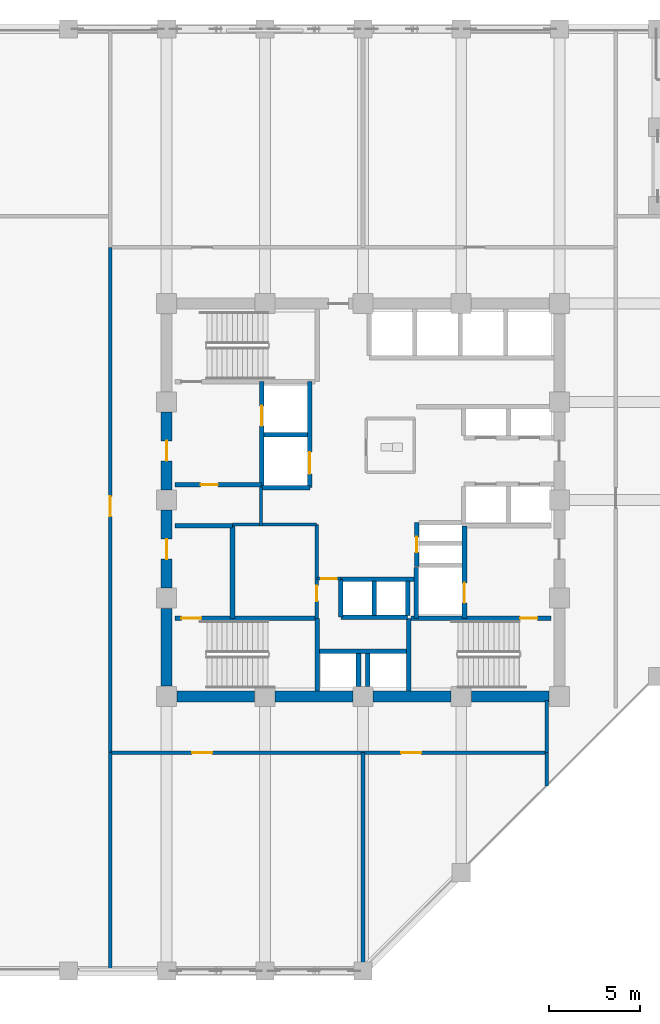
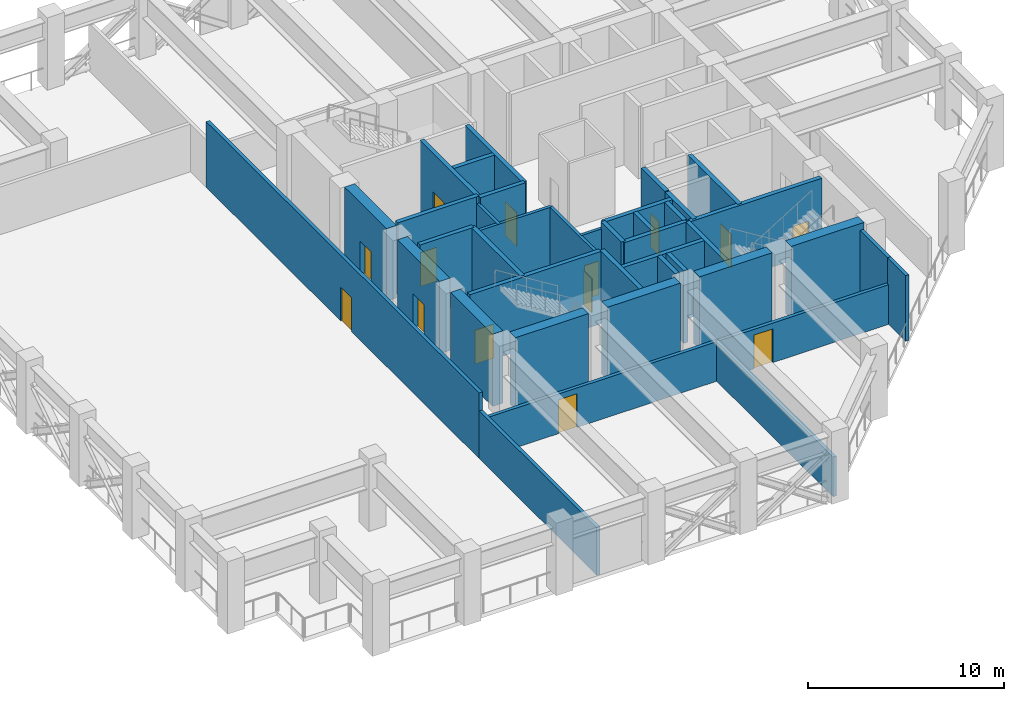
# One storey, part 5 of 12: 39 walls, 14 doors, 14 openings.
"""IFC4 building model written with IfcOpenShell, lengths in metres."""

from ifc_helpers import new_model, si_unit, direction, frame, frame_2d, origin, place, context, subcontext, project, spatial, rectangle, extrude, material, layer, layer_set, type_object, element, fill, save


model = new_model("IFC4")

# Units and contexts
model_context = context("Model", 3, precision=1e-05, world=origin(), true_north=direction((0.0, 1.0)))
body_context = subcontext(model_context, "Body", "Model", "MODEL_VIEW")
ifc_project = project(units=[si_unit("LENGTHUNIT", "METRE"), si_unit("AREAUNIT", "SQUARE_METRE"), si_unit("VOLUMEUNIT", "CUBIC_METRE"), si_unit("PLANEANGLEUNIT", "RADIAN"), si_unit("MASSUNIT", "GRAM", prefix="KILO")], contexts=[model_context])

# Site, building, storey
site_placement = place(None, origin())
site = spatial("IfcSite", under=ifc_project, at=site_placement, CompositionType="ELEMENT")
building_placement = place(site_placement, origin())
building = spatial("IfcBuilding", under=site, at=building_placement, Name="Surkhivell Harbour Commons", CompositionType="ELEMENT")
storey_placement = place(building_placement, frame((0.0, 0.0, 166.5)))
storey = spatial("IfcBuildingStorey", under=building, at=storey_placement, Name="L43", CompositionType="ELEMENT", Elevation=166.5)

# Walls
ifc_material_1 = material(Name="Concrete C60/75", Category="concrete")
ifc_layer_1 = layer(ifc_material_1, 0.60009765625)
ifc_layer_set_1 = layer_set([ifc_layer_1], Name="Concrete C60/75")
wall_type_1 = type_object("IfcWallType", Name="WAL-CORE-600", PredefinedType="SHEAR", material=ifc_layer_set_1)
for number, where, z_axis, x_axis, name in (
    (1, (-10.239990234375, -10.800048828125, 0.0), (0.0, 0.0, 1.0), (1.0, 0.0, 0.0), "L43 Core Shear Wall South 1"),
    (2, (-10.800048828125, -10.239990234375, 0.0), (0.0, 0.0, 1.0), (0.0, 1.0, 0.0), "L43 Core Shear Wall West 1"),
    (3, (-4.840087890625, -10.800048828125, 0.0), (0.0, 0.0, 1.0), (1.0, 0.0, 0.0), "L43 Core Shear Wall South 2"),
):
    element("IfcWall", number, at=place(storey_placement, frame(where, z_axis=z_axis, x_axis=x_axis)), inside=storey, type_object=wall_type_1, Name=name, PredefinedType="SHEAR", context=body_context, shape_type="SweptSolid", body=[
        extrude(rectangle(XDim=4.280029296875, YDim=0.60009765625, at=frame_2d((2.14013671875, 0.0))), origin(), (0.0, 0.0, 1.0), 4.5),
    ])

# Wall, opening, door
wall_1_placement = place(storey_placement, frame((-10.800048828125, -4.840087890625, 0.0), z_axis=(0.0, 0.0, 1.0), x_axis=(0.0, 1.0, 0.0)))
wall_1 = element("IfcWall", 4, at=wall_1_placement, inside=storey, type_object=wall_type_1, Name="L43 Core Shear Wall West 2", PredefinedType="SHEAR", context=body_context, shape_type="SweptSolid", body=[
    extrude(rectangle(XDim=4.280029296875, YDim=0.60009765625, at=frame_2d((2.14013671875, 0.0))), origin(), (0.0, 0.0, 1.0), 4.5),
])
opening_1_placement = place(wall_1_placement, frame((1.590087890625, 0.0, 0.0)))
opening_1 = element("IfcOpeningElement", 5, at=opening_1_placement, cuts=wall_1, Name="Opening ID-2", PredefinedType="OPENING", context=body_context, shape_type="SweptSolid", body=[
    extrude(rectangle(XDim=1.10009765625, YDim=2.10009765625, at=frame_2d((0.550048828125, 1.050048828125))), frame((0.0, 0.31005859375, 0.0), z_axis=(0.0, -1.0, 0.0), x_axis=(1.0, 0.0, 0.0)), (0.0, 0.0, 1.0), 0.6201171875),
])
ifc_material_2 = material(Name="Hardwood-veneered fire-rated door leaf", Category="wood")
door_type_1 = type_object("IfcDoorType", Name="DOR-FD60-1100", OperationType="NOTDEFINED", PredefinedType="DOOR", material=ifc_material_2)
door_1_placement = place(opening_1_placement, origin())
door_1 = element("IfcDoor", 6, at=door_1_placement, inside=storey, type_object=door_type_1, Name="L43 Stair 3 Lobby Corridor Door", OperationType="SINGLE_SWING_LEFT", OverallHeight=2.10009765625, OverallWidth=1.10009765625, PredefinedType="DOOR", context=body_context, shape_type="SweptSolid", body=[
    extrude(rectangle(XDim=1.10009765625, YDim=2.10009765625, at=frame_2d((0.550048828125, 1.050048828125))), frame((0.0, 0.02490234375, 0.0), z_axis=(0.0, -1.0, 0.0), x_axis=(1.0, 0.0, 0.0)), (0.0, 0.0, 1.0), 0.050048828125),
])
fill(opening_1, door_1)

# Wall
wall_2_placement = place(storey_placement, frame((0.56005859375, -10.800048828125, 0.0), z_axis=(0.0, 0.0, 1.0), x_axis=(1.0, 0.0, 0.0)))
element("IfcWall", 7, at=wall_2_placement, inside=storey, type_object=wall_type_1, Name="L43 Core Shear Wall South 3", PredefinedType="SHEAR", context=body_context, shape_type="SweptSolid", body=[
    extrude(rectangle(XDim=4.280029296875, YDim=0.60009765625, at=frame_2d((2.14013671875, 0.0))), origin(), (0.0, 0.0, 1.0), 4.5),
])

# Wall, opening, door
wall_3_placement = place(storey_placement, frame((-10.800048828125, 0.56005859375, 0.0), z_axis=(0.0, 0.0, 1.0), x_axis=(0.0, 1.0, 0.0)))
wall_3 = element("IfcWall", 8, at=wall_3_placement, inside=storey, type_object=wall_type_1, Name="L43 Core Shear Wall West 3", PredefinedType="SHEAR", context=body_context, shape_type="SweptSolid", body=[
    extrude(rectangle(XDim=4.280029296875, YDim=0.60009765625, at=frame_2d((2.14013671875, 0.0))), origin(), (0.0, 0.0, 1.0), 4.5),
])
opening_2_placement = place(wall_3_placement, frame((1.590087890625, 0.0, 0.0)))
opening_2 = element("IfcOpeningElement", 9, at=opening_2_placement, cuts=wall_3, Name="Opening ID-1", PredefinedType="OPENING", context=body_context, shape_type="SweptSolid", body=[
    extrude(rectangle(XDim=1.10009765625, YDim=2.10009765625, at=frame_2d((0.550048828125, 1.050048828125))), frame((0.0, 0.31005859375, 0.0), z_axis=(0.0, -1.0, 0.0), x_axis=(1.0, 0.0, 0.0)), (0.0, 0.0, 1.0), 0.6201171875),
])
door_type_2 = type_object("IfcDoorType", Name="DOR-FD120-1100", OperationType="NOTDEFINED", PredefinedType="DOOR", material=ifc_material_2)
door_2_placement = place(opening_2_placement, origin())
door_2 = element("IfcDoor", 10, at=door_2_placement, inside=storey, type_object=door_type_2, Name="L43 Firefighting Lobby 1 Corridor Door", OperationType="SINGLE_SWING_LEFT", OverallHeight=2.10009765625, OverallWidth=1.10009765625, PredefinedType="DOOR", context=body_context, shape_type="SweptSolid", body=[
    extrude(rectangle(XDim=1.10009765625, YDim=2.10009765625, at=frame_2d((0.550048828125, 1.050048828125))), frame((0.0, 0.02490234375, 0.0), z_axis=(0.0, -1.0, 0.0), x_axis=(1.0, 0.0, 0.0)), (0.0, 0.0, 1.0), 0.050048828125),
])
fill(opening_2, door_2)

# Wall
wall_4_placement = place(storey_placement, frame((5.9599609375, -10.800048828125, 0.0), z_axis=(0.0, 0.0, 1.0), x_axis=(1.0, 0.0, 0.0)))
element("IfcWall", 11, at=wall_4_placement, inside=storey, type_object=wall_type_1, Name="L43 Core Shear Wall South 4", PredefinedType="SHEAR", context=body_context, shape_type="SweptSolid", body=[
    extrude(rectangle(XDim=4.280029296875, YDim=0.60009765625, at=frame_2d((2.14013671875, 0.0))), origin(), (0.0, 0.0, 1.0), 4.5),
])

# Wall, opening, door
ifc_material_3 = material(Name="High-density acoustic blockwork fire partition", Category="masonry")
ifc_layer_2 = layer(ifc_material_3, 0.175048828125)
ifc_layer_set_2 = layer_set([ifc_layer_2], Name="High-density acoustic blockwork fire partition")
wall_type_2 = type_object("IfcWallType", Name="WAL-INT-175", PredefinedType="PARTITIONING", material=ifc_layer_set_2)
wall_5_placement = place(storey_placement, frame((-2.550048828125, -6.510009765625, 0.0), z_axis=(0.0, 0.0, 1.0), x_axis=(0.0, 1.0, 0.0)))
wall_5 = element("IfcWall", 12, at=wall_5_placement, inside=storey, type_object=wall_type_2, Name="L43 Core Service Bay East Wall", PredefinedType="PARTITIONING", context=body_context, shape_type="SweptSolid", body=[
    extrude(rectangle(XDim=5.159912109375, YDim=0.175048828125, at=frame_2d((2.580078125, 0.0))), origin(), (0.0, 0.0, 1.0), 4.080078125),
])
opening_3_placement = place(wall_5_placement, frame((0.949951171875, 0.0, 0.0)))
opening_3 = element("IfcOpeningElement", 13, at=opening_3_placement, cuts=wall_5, Name="Opening ID-6", PredefinedType="OPENING", context=body_context, shape_type="SweptSolid", body=[
    extrude(rectangle(XDim=0.85009765625, YDim=2.10009765625, at=frame_2d((0.425048828125, 1.050048828125))), frame((0.0, 0.097412109375, 0.0), z_axis=(0.0, -1.0, 0.0), x_axis=(1.0, 0.0, 0.0)), (0.0, 0.0, 1.0), 0.195068359375),
])
door_type_3 = type_object("IfcDoorType", Name="DOR-FD30-850", OperationType="NOTDEFINED", PredefinedType="DOOR", material=ifc_material_2)
door_3_placement = place(opening_3_placement, origin())
door_3 = element("IfcDoor", 14, at=door_3_placement, inside=storey, type_object=door_type_3, Name="L43 Core Metering Door", OperationType="SINGLE_SWING_LEFT", OverallHeight=2.10009765625, OverallWidth=0.85009765625, PredefinedType="DOOR", context=body_context, shape_type="SweptSolid", body=[
    extrude(rectangle(XDim=0.85009765625, YDim=2.10009765625, at=frame_2d((0.425048828125, 1.050048828125))), frame((0.0, 0.02490234375, 0.0), z_axis=(0.0, -1.0, 0.0), x_axis=(1.0, 0.0, 0.0)), (0.0, 0.0, 1.0), 0.050048828125),
])
fill(opening_3, door_3)

# Walls
wall_6_placement = place(storey_placement, frame((-7.179931640625, -1.35009765625, 0.0), z_axis=(0.0, 0.0, 1.0), x_axis=(1.0, 0.0, 0.0)))
element("IfcWall", 15, at=wall_6_placement, inside=storey, type_object=wall_type_2, Name="L43 Core Service Bay North Wall", PredefinedType="PARTITIONING", context=body_context, shape_type="SweptSolid", body=[
    extrude(rectangle(XDim=4.6298828125, YDim=0.175048828125, at=frame_2d((2.31494140625, 0.0))), origin(), (0.0, 0.0, 1.0), 4.080078125),
])
wall_7_placement = place(storey_placement, frame((-5.6201171875, -1.419921875, 0.0), z_axis=(0.0, 0.0, 1.0), x_axis=(0.0, 1.0, 0.0)))
element("IfcWall", 16, at=wall_7_placement, inside=storey, type_object=wall_type_2, Name="L43 West Core Bay East Wall", PredefinedType="PARTITIONING", context=body_context, shape_type="SweptSolid", body=[
    extrude(rectangle(XDim=2.139892578125, YDim=0.175048828125, at=frame_2d((1.06982421875, 0.0))), origin(), (0.0, 0.0, 1.0), 4.080078125),
])

# Wall, opening, door
wall_8_placement = place(storey_placement, frame((-2.52001953125, -4.320068359375, 0.0), z_axis=(0.0, 0.0, 1.0), x_axis=(1.0, 0.0, 0.0)))
wall_8 = element("IfcWall", 17, at=wall_8_placement, inside=storey, type_object=wall_type_2, Name="L43 High-Rise Lobby North Portal Wall", PredefinedType="PARTITIONING", context=body_context, shape_type="SweptSolid", body=[
    extrude(rectangle(XDim=1.300048828125, YDim=0.175048828125, at=frame_2d((0.64990234375, 0.0))), origin(), (0.0, 0.0, 1.0), 4.080078125),
])
opening_4_placement = place(wall_8_placement, frame((0.219970703125, 0.0, 0.0)))
opening_4 = element("IfcOpeningElement", 18, at=opening_4_placement, cuts=wall_8, Name="Opening ID-6", PredefinedType="OPENING", context=body_context, shape_type="SweptSolid", body=[
    extrude(rectangle(XDim=0.85009765625, YDim=2.10009765625, at=frame_2d((0.425048828125, 1.050048828125))), frame((0.0, 0.097412109375, 0.0), z_axis=(0.0, -1.0, 0.0), x_axis=(1.0, 0.0, 0.0)), (0.0, 0.0, 1.0), 0.195068359375),
])
door_4_placement = place(opening_4_placement, origin())
door_4 = element("IfcDoor", 19, at=door_4_placement, inside=storey, type_object=door_type_3, Name="L43 High-Rise Lift Lobby North Door", OperationType="SINGLE_SWING_LEFT", OverallHeight=2.10009765625, OverallWidth=0.85009765625, PredefinedType="DOOR", context=body_context, shape_type="SweptSolid", body=[
    extrude(rectangle(XDim=0.85009765625, YDim=2.10009765625, at=frame_2d((0.425048828125, 1.050048828125))), frame((0.0, 0.02490234375, 0.0), z_axis=(0.0, -1.0, 0.0), x_axis=(1.0, 0.0, 0.0)), (0.0, 0.0, 1.0), 0.050048828125),
])
fill(opening_4, door_4)

# Wall
ifc_material_4 = material(Name="Autoclaved aerated concrete blockwork and fire plaster", Category="masonry")
ifc_layer_3 = layer(ifc_material_4, 0.199951171875)
ifc_layer_set_3 = layer_set([ifc_layer_3], Name="Autoclaved aerated concrete blockwork and fire plaster")
wall_type_3 = type_object("IfcWallType", Name="WAL-INT-200", PredefinedType="PARTITIONING", material=ifc_layer_set_3)
wall_9_placement = place(storey_placement, frame((0.0, -25.843505859375, 0.0), z_axis=(0.0, 0.0, 1.0), x_axis=(0.0, 1.0, 0.0)))
element("IfcWall", 20, at=wall_9_placement, inside=storey, type_object=wall_type_3, Name="L43 Refuge South Plant Divider", PredefinedType="PARTITIONING", context=body_context, shape_type="SweptSolid", body=[
    extrude(rectangle(XDim=11.943603515625, YDim=0.199951171875, at=frame_2d((5.9716796875, 0.0))), origin(), (0.0, 0.0, 1.0), 2.4599609375),
])

# Wall, openings, doors
wall_10_placement = place(storey_placement, frame((-13.89990234375, -13.89990234375, 0.0), z_axis=(0.0, 0.0, 1.0), x_axis=(1.0, 0.0, 0.0)))
wall_10 = element("IfcWall", 21, at=wall_10_placement, inside=storey, type_object=wall_type_3, Name="L43 Corridor South Wall", PredefinedType="PARTITIONING", context=body_context, shape_type="SweptSolid", body=[
    extrude(rectangle(XDim=24.0, YDim=0.199951171875, at=frame_2d((12.0, 0.0))), origin(), (0.0, 0.0, 1.0), 2.4599609375),
])
opening_5_placement = place(wall_10_placement, frame((4.5, 0.0, 0.0)))
opening_5 = element("IfcOpeningElement", 22, at=opening_5_placement, cuts=wall_10, Name="Opening ID-2", PredefinedType="OPENING", context=body_context, shape_type="SweptSolid", body=[
    extrude(rectangle(XDim=1.10009765625, YDim=2.10009765625, at=frame_2d((0.550048828125, 1.050048828125))), frame((0.0, 0.10986328125, 0.0), z_axis=(0.0, -1.0, 0.0), x_axis=(1.0, 0.0, 0.0)), (0.0, 0.0, 1.0), 0.219970703125),
])
opening_6_placement = place(wall_10_placement, frame((16.0, 0.0, 0.0)))
opening_6 = element("IfcOpeningElement", 23, at=opening_6_placement, cuts=wall_10, Name="Opening ID-2", PredefinedType="OPENING", context=body_context, shape_type="SweptSolid", body=[
    extrude(rectangle(XDim=1.10009765625, YDim=2.10009765625, at=frame_2d((0.550048828125, 1.050048828125))), frame((0.0, 0.10986328125, 0.0), z_axis=(0.0, -1.0, 0.0), x_axis=(1.0, 0.0, 0.0)), (0.0, 0.0, 1.0), 0.219970703125),
])
door_5_placement = place(opening_5_placement, origin())
door_5 = element("IfcDoor", 24, at=door_5_placement, inside=storey, type_object=door_type_1, Name="L43 Transfer Fire and Potable Booster Pump Room Door", OperationType="SINGLE_SWING_RIGHT", OverallHeight=2.10009765625, OverallWidth=1.10009765625, PredefinedType="DOOR", context=body_context, shape_type="SweptSolid", body=[
    extrude(rectangle(XDim=1.10009765625, YDim=2.10009765625, at=frame_2d((0.550048828125, 1.050048828125))), frame((0.0, 0.02490234375, 0.0), z_axis=(0.0, -1.0, 0.0), x_axis=(1.0, 0.0, 0.0)), (0.0, 0.0, 1.0), 0.050048828125),
])
fill(opening_5, door_5)
door_6_placement = place(opening_6_placement, origin())
door_6 = element("IfcDoor", 25, at=door_6_placement, inside=storey, type_object=door_type_1, Name="L43 Zone Electrical Switchgear Plant Room Door", OperationType="SINGLE_SWING_LEFT", OverallHeight=2.10009765625, OverallWidth=1.10009765625, PredefinedType="DOOR", context=body_context, shape_type="SweptSolid", body=[
    extrude(rectangle(XDim=1.10009765625, YDim=2.10009765625, at=frame_2d((0.550048828125, 1.050048828125))), frame((0.0, 0.02490234375, 0.0), z_axis=(0.0, -1.0, 0.0), x_axis=(1.0, 0.0, 0.0)), (0.0, 0.0, 1.0), 0.050048828125),
])
fill(opening_6, door_6)

# Walls
wall_11_placement = place(storey_placement, frame((10.10009765625, -15.743408203125, 0.0), z_axis=(0.0, 0.0, 1.0), x_axis=(0.0, 1.0, 0.0)))
element("IfcWall", 26, at=wall_11_placement, inside=storey, type_object=wall_type_3, Name="L43 Corner SE Divider", PredefinedType="PARTITIONING", context=body_context, shape_type="SweptSolid", body=[
    extrude(rectangle(XDim=1.843505859375, YDim=0.199951171875, at=frame_2d((0.921875, 0.0))), origin(), (0.0, 0.0, 1.0), 4.080078125),
])
wall_12_placement = place(storey_placement, frame((-13.89990234375, -25.860107421875, 0.0), z_axis=(0.0, 0.0, 1.0), x_axis=(0.0, 1.0, 0.0)))
element("IfcWall", 27, at=wall_12_placement, inside=storey, type_object=wall_type_3, Name="L43 Corner SW Divider", PredefinedType="PARTITIONING", context=body_context, shape_type="SweptSolid", body=[
    extrude(rectangle(XDim=11.960205078125, YDim=0.199951171875, at=frame_2d((5.97998046875, 0.0))), origin(), (0.0, 0.0, 1.0), 2.9599609375),
])

# Wall, opening, door
wall_13_placement = place(storey_placement, frame((-13.89990234375, -13.89990234375, 0.0), z_axis=(0.0, 0.0, 1.0), x_axis=(0.0, 1.0, 0.0)))
wall_13 = element("IfcWall", 28, at=wall_13_placement, inside=storey, type_object=wall_type_3, Name="L43 Corridor West Wall", PredefinedType="PARTITIONING", context=body_context, shape_type="SweptSolid", body=[
    extrude(rectangle(XDim=27.7998046875, YDim=0.199951171875, at=frame_2d((13.89990234375, 0.0))), origin(), (0.0, 0.0, 1.0), 4.080078125),
])
opening_7_placement = place(wall_13_placement, frame((13.0, 0.0, 0.0)))
opening_7 = element("IfcOpeningElement", 29, at=opening_7_placement, cuts=wall_13, Name="Opening ID-2", PredefinedType="OPENING", context=body_context, shape_type="SweptSolid", body=[
    extrude(rectangle(XDim=1.10009765625, YDim=2.10009765625, at=frame_2d((0.550048828125, 1.050048828125))), frame((0.0, 0.10986328125, 0.0), z_axis=(0.0, -1.0, 0.0), x_axis=(1.0, 0.0, 0.0)), (0.0, 0.0, 1.0), 0.219970703125),
])
door_7_placement = place(opening_7_placement, origin())
door_7 = element("IfcDoor", 30, at=door_7_placement, inside=storey, type_object=door_type_1, Name="L43 West Open Refuge Area Door", OperationType="SINGLE_SWING_RIGHT", OverallHeight=2.10009765625, OverallWidth=1.10009765625, PredefinedType="DOOR", context=body_context, shape_type="SweptSolid", body=[
    extrude(rectangle(XDim=1.10009765625, YDim=2.10009765625, at=frame_2d((0.550048828125, 1.050048828125))), frame((0.0, 0.02490234375, 0.0), z_axis=(0.0, -1.0, 0.0), x_axis=(1.0, 0.0, 0.0)), (0.0, 0.0, 1.0), 0.050048828125),
])
fill(opening_7, door_7)

# Wall
wall_14_placement = place(storey_placement, frame((10.10009765625, -13.89990234375, 0.0), z_axis=(0.0, 0.0, 1.0), x_axis=(0.0, 1.0, 0.0)))
element("IfcWall", 31, at=wall_14_placement, inside=storey, type_object=wall_type_3, Name="L43 Corridor SE Closure Wall", PredefinedType="PARTITIONING", context=body_context, shape_type="SweptSolid", body=[
    extrude(rectangle(XDim=2.85986328125, YDim=0.199951171875, at=frame_2d((1.429931640625, 0.0))), origin(), (0.0, 0.0, 1.0), 4.080078125),
])

# Wall, opening, door
ifc_material_5 = material(Name="Concrete C50/60", Category="concrete")
ifc_layer_4 = layer(ifc_material_5, 0.25)
ifc_layer_set_4 = layer_set([ifc_layer_4], Name="Concrete C50/60")
wall_type_4 = type_object("IfcWallType", Name="WAL-SHAFT-250", PredefinedType="SHEAR", material=ifc_layer_set_4)
wall_15_placement = place(storey_placement, frame((-5.580078125, 0.719970703125, 0.0), z_axis=(0.0, 0.0, 1.0), x_axis=(0.0, 1.0, 0.0)))
wall_15 = element("IfcWall", 32, at=wall_15_placement, inside=storey, type_object=wall_type_4, Name="L43 Firefighting Lobby 1 East Shaft Wall", PredefinedType="SHEAR", context=body_context, shape_type="SweptSolid", body=[
    extrude(rectangle(XDim=5.7900390625, YDim=0.25, at=frame_2d((2.89501953125, 0.0))), origin(), (0.0, 0.0, 1.0), 4.5),
])
opening_8_placement = place(wall_15_placement, frame((3.35009765625, 0.0, 0.0)))
opening_8 = element("IfcOpeningElement", 33, at=opening_8_placement, cuts=wall_15, Name="Opening LD-1", PredefinedType="OPENING", context=body_context, shape_type="SweptSolid", body=[
    extrude(rectangle(XDim=1.10009765625, YDim=2.10009765625, at=frame_2d((0.550048828125, 1.050048828125))), frame((0.0, 0.135009765625, 0.0), z_axis=(0.0, -1.0, 0.0), x_axis=(1.0, 0.0, 0.0)), (0.0, 0.0, 1.0), 0.27001953125),
])
ifc_material_6 = material(Name="Brushed stainless steel S355", Category="steel")
door_type_4 = type_object("IfcDoorType", Name="DOR-LD-1100", OperationType="SLIDING_TO_LEFT", PredefinedType="DOOR", material=ifc_material_6)
door_8_placement = place(opening_8_placement, origin())
door_8 = element("IfcDoor", 34, at=door_8_placement, inside=storey, type_object=door_type_4, Name="L43 Lift Landing Door LD-FFL1", OperationType="SLIDING_TO_LEFT", OverallHeight=2.10009765625, OverallWidth=1.10009765625, PredefinedType="DOOR", context=body_context, shape_type="SweptSolid", body=[
    extrude(rectangle(XDim=1.10009765625, YDim=2.10009765625, at=frame_2d((0.550048828125, 1.050048828125))), frame((0.0, 0.02490234375, 0.0), z_axis=(0.0, -1.0, 0.0), x_axis=(1.0, 0.0, 0.0)), (0.0, 0.0, 1.0), 0.050048828125),
])
fill(opening_8, door_8)

wall_16_placement = place(storey_placement, frame((-10.340087890625, 0.85009765625, 0.0), z_axis=(0.0, 0.0, 1.0), x_axis=(1.0, 0.0, 0.0)))
wall_16 = element("IfcWall", 35, at=wall_16_placement, inside=storey, type_object=wall_type_4, Name="L43 Firefighting Lobby 1 South Wall", PredefinedType="SHEAR", context=body_context, shape_type="SweptSolid", body=[
    extrude(rectangle(XDim=4.760009765625, YDim=0.25, at=frame_2d((2.3798828125, 0.0))), origin(), (0.0, 0.0, 1.0), 4.5),
])
opening_9_placement = place(wall_16_placement, frame((1.39990234375, 0.0, 0.0)))
opening_9 = element("IfcOpeningElement", 36, at=opening_9_placement, cuts=wall_16, Name="Opening ID-4", PredefinedType="OPENING", context=body_context, shape_type="SweptSolid", body=[
    extrude(rectangle(XDim=0.949951171875, YDim=2.10009765625, at=frame_2d((0.47509765625, 1.050048828125))), frame((0.0, 0.135009765625, 0.0), z_axis=(0.0, -1.0, 0.0), x_axis=(1.0, 0.0, 0.0)), (0.0, 0.0, 1.0), 0.27001953125),
])
door_type_5 = type_object("IfcDoorType", Name="DOR-FD60-950", OperationType="NOTDEFINED", PredefinedType="DOOR", material=ifc_material_2)
door_9_placement = place(opening_9_placement, origin())
door_9 = element("IfcDoor", 37, at=door_9_placement, inside=storey, type_object=door_type_5, Name="L43 Core BMS Room Door", OperationType="SINGLE_SWING_RIGHT", OverallHeight=2.10009765625, OverallWidth=0.949951171875, PredefinedType="DOOR", context=body_context, shape_type="SweptSolid", body=[
    extrude(rectangle(XDim=0.949951171875, YDim=2.10009765625, at=frame_2d((0.47509765625, 1.050048828125))), frame((0.0, 0.02490234375, 0.0), z_axis=(0.0, -1.0, 0.0), x_axis=(1.0, 0.0, 0.0)), (0.0, 0.0, 1.0), 0.050048828125),
])
fill(opening_9, door_9)

# Wall
wall_17_placement = place(storey_placement, frame((2.929931640625, -6.510009765625, 0.0), z_axis=(0.0, 0.0, 1.0), x_axis=(0.0, 1.0, 0.0)))
element("IfcWall", 38, at=wall_17_placement, inside=storey, type_object=wall_type_4, Name="L43 FFL2 West Shaft Wall", PredefinedType="SHEAR", context=body_context, shape_type="SweptSolid", body=[
    extrude(rectangle(XDim=2.7900390625, YDim=0.25, at=frame_2d((1.39501953125, 0.0))), origin(), (0.0, 0.0, 1.0), 4.5),
])

# Wall, opening, door
wall_18_placement = place(storey_placement, frame((5.580078125, -6.510009765625, 0.0), z_axis=(0.0, 0.0, 1.0), x_axis=(0.0, 1.0, 0.0)))
wall_18 = element("IfcWall", 39, at=wall_18_placement, inside=storey, type_object=wall_type_4, Name="L43 Firefighting Lobby 2 West Shaft Wall", PredefinedType="SHEAR", context=body_context, shape_type="SweptSolid", body=[
    extrude(rectangle(XDim=5.090087890625, YDim=0.25, at=frame_2d((2.544921875, 0.0))), origin(), (0.0, 0.0, 1.0), 4.5),
])
opening_10_placement = place(wall_18_placement, frame((0.85009765625, 0.0, 0.0)))
opening_10 = element("IfcOpeningElement", 40, at=opening_10_placement, cuts=wall_18, Name="Opening LD-1", PredefinedType="OPENING", context=body_context, shape_type="SweptSolid", body=[
    extrude(rectangle(XDim=1.10009765625, YDim=2.10009765625, at=frame_2d((0.550048828125, 1.050048828125))), frame((0.0, 0.135009765625, 0.0), z_axis=(0.0, -1.0, 0.0), x_axis=(1.0, 0.0, 0.0)), (0.0, 0.0, 1.0), 0.27001953125),
])
door_10_placement = place(opening_10_placement, origin())
door_10 = element("IfcDoor", 41, at=door_10_placement, inside=storey, type_object=door_type_4, Name="L43 Lift Landing Door LD-FFL2", OperationType="SLIDING_TO_RIGHT", OverallHeight=2.10009765625, OverallWidth=1.10009765625, PredefinedType="DOOR", context=body_context, shape_type="SweptSolid", body=[
    extrude(rectangle(XDim=1.10009765625, YDim=2.10009765625, at=frame_2d((0.550048828125, 1.050048828125))), frame((0.0, 0.02490234375, 0.0), z_axis=(0.0, -1.0, 0.0), x_axis=(1.0, 0.0, 0.0)), (0.0, 0.0, 1.0), 0.050048828125),
])
fill(opening_10, door_10)

# Walls
for number, where, z_axis, x_axis, name in (
    (42, (0.6201171875, -6.340087890625, 0.0), (0.0, 0.0, 1.0), (0.0, 1.0, 0.0), "L43 High-Rise Side Wall N"),
    (43, (2.449951171875, -6.340087890625, 0.0), (0.0, 0.0, 1.0), (0.0, 1.0, 0.0), "L43 High-Rise Side Wall N"),
):
    element("IfcWall", number, at=place(storey_placement, frame(where, z_axis=z_axis, x_axis=x_axis)), inside=storey, type_object=wall_type_4, Name=name, PredefinedType="SHEAR", context=body_context, shape_type="SweptSolid", body=[
        extrude(rectangle(XDim=1.880126953125, YDim=0.25, at=frame_2d((0.93994140625, 0.0))), origin(), (0.0, 0.0, 1.0), 4.5),
    ])
for number, where, z_axis, x_axis, name in (
    (44, (-0.25, -10.25, 0.0), (0.0, 0.0, 1.0), (0.0, 1.0, 0.0), "L43 High-Rise Side Wall S"),
    (45, (0.25, -10.25, 0.0), (0.0, 0.0, 1.0), (0.0, 1.0, 0.0), "L43 High-Rise Side Wall S"),
):
    element("IfcWall", number, at=place(storey_placement, frame(where, z_axis=z_axis, x_axis=x_axis)), inside=storey, type_object=wall_type_4, Name=name, PredefinedType="SHEAR", context=body_context, shape_type="SweptSolid", body=[
        extrude(rectangle(XDim=1.81005859375, YDim=0.25, at=frame_2d((0.905029296875, 0.0))), origin(), (0.0, 0.0, 1.0), 4.5),
    ])
wall_19_placement = place(storey_placement, frame((-1.219970703125, -6.43994140625, 0.0), z_axis=(0.0, 0.0, 1.0), x_axis=(0.0, 1.0, 0.0)))
element("IfcWall", 46, at=wall_19_placement, inside=storey, type_object=wall_type_4, Name="L43 High-Rise Passage East Shaft Wall", PredefinedType="SHEAR", context=body_context, shape_type="SweptSolid", body=[
    extrude(rectangle(XDim=2.079833984375, YDim=0.25, at=frame_2d((1.0400390625, 0.0))), origin(), (0.0, 0.0, 1.0), 4.5),
])
wall_20_placement = place(storey_placement, frame((-1.219970703125, -6.43994140625, 0.0), z_axis=(0.0, 0.0, 1.0), x_axis=(1.0, 0.0, 0.0)))
element("IfcWall", 47, at=wall_20_placement, inside=storey, type_object=wall_type_4, Name="L43 High-Rise North Front Shaft Wall", PredefinedType="SHEAR", context=body_context, shape_type="SweptSolid", body=[
    extrude(rectangle(XDim=3.669921875, YDim=0.25, at=frame_2d((1.8349609375, 0.0))), origin(), (0.0, 0.0, 1.0), 4.5),
])
wall_21_placement = place(storey_placement, frame((-2.47998046875, -8.320068359375, 0.0), z_axis=(0.0, 0.0, 1.0), x_axis=(1.0, 0.0, 0.0)))
element("IfcWall", 48, at=wall_21_placement, inside=storey, type_object=wall_type_4, Name="L43 High-Rise South Front Shaft Wall", PredefinedType="SHEAR", context=body_context, shape_type="SweptSolid", body=[
    extrude(rectangle(XDim=4.929931640625, YDim=0.25, at=frame_2d((2.46484375, 0.0))), origin(), (0.0, 0.0, 1.0), 4.5),
])
wall_22_placement = place(storey_placement, frame((-1.219970703125, -4.360107421875, 0.0), z_axis=(0.0, 0.0, 1.0), x_axis=(1.0, 0.0, 0.0)))
element("IfcWall", 49, at=wall_22_placement, inside=storey, type_object=wall_type_4, Name="L43 High-Rise North Back Shaft Wall", PredefinedType="SHEAR", context=body_context, shape_type="SweptSolid", body=[
    extrude(rectangle(XDim=4.030029296875, YDim=0.25, at=frame_2d((2.01513671875, 0.0))), origin(), (0.0, 0.0, 1.0), 4.5),
])

# Wall, opening, door
wall_23_placement = place(storey_placement, frame((2.949951171875, -3.64990234375, 0.0), z_axis=(0.0, 0.0, 1.0), x_axis=(0.0, 1.0, 0.0)))
wall_23 = element("IfcWall", 50, at=wall_23_placement, inside=storey, type_object=wall_type_4, Name="L43 Riser Shaft West Wall", PredefinedType="SHEAR", context=body_context, shape_type="SweptSolid", body=[
    extrude(rectangle(XDim=2.39990234375, YDim=0.25, at=frame_2d((1.199951171875, 0.0))), origin(), (0.0, 0.0, 1.0), 4.5),
])
opening_11_placement = place(wall_23_placement, frame((0.77490234375, 0.0, 0.0)))
opening_11 = element("IfcOpeningElement", 51, at=opening_11_placement, cuts=wall_23, Name="Opening ID-6", PredefinedType="OPENING", context=body_context, shape_type="SweptSolid", body=[
    extrude(rectangle(XDim=0.85009765625, YDim=2.10009765625, at=frame_2d((0.425048828125, 1.050048828125))), frame((0.0, 0.135009765625, 0.0), z_axis=(0.0, -1.0, 0.0), x_axis=(1.0, 0.0, 0.0)), (0.0, 0.0, 1.0), 0.27001953125),
])
door_11_placement = place(opening_11_placement, origin())
door_11 = element("IfcDoor", 52, at=door_11_placement, inside=storey, type_object=door_type_3, Name="L43 Electrical Riser Access Door", OperationType="SINGLE_SWING_LEFT", OverallHeight=2.10009765625, OverallWidth=0.85009765625, PredefinedType="DOOR", context=body_context, shape_type="SweptSolid", body=[
    extrude(rectangle(XDim=0.85009765625, YDim=2.10009765625, at=frame_2d((0.425048828125, 1.050048828125))), frame((0.0, 0.02490234375, 0.0), z_axis=(0.0, -1.0, 0.0), x_axis=(1.0, 0.0, 0.0)), (0.0, 0.0, 1.0), 0.050048828125),
])
fill(opening_11, door_11)

wall_24_placement = place(storey_placement, frame((2.639892578125, -6.510009765625, 0.0), z_axis=(0.0, 0.0, 1.0), x_axis=(1.0, 0.0, 0.0)))
wall_24 = element("IfcWall", 53, at=wall_24_placement, inside=storey, type_object=wall_type_4, Name="L43 Stair ST2 North Shear Wall", PredefinedType="SHEAR", context=body_context, shape_type="SweptSolid", body=[
    extrude(rectangle(XDim=7.7001953125, YDim=0.25, at=frame_2d((3.85009765625, 0.0))), origin(), (0.0, 0.0, 1.0), 4.5),
])
opening_12_placement = place(wall_24_placement, frame((6.0, 0.0, 0.0)))
opening_12 = element("IfcOpeningElement", 54, at=opening_12_placement, cuts=wall_24, Name="Opening ID-4", PredefinedType="OPENING", context=body_context, shape_type="SweptSolid", body=[
    extrude(rectangle(XDim=0.949951171875, YDim=2.10009765625, at=frame_2d((0.47509765625, 1.050048828125))), frame((0.0, 0.135009765625, 0.0), z_axis=(0.0, -1.0, 0.0), x_axis=(1.0, 0.0, 0.0)), (0.0, 0.0, 1.0), 0.27001953125),
])
door_12_placement = place(opening_12_placement, origin())
door_12 = element("IfcDoor", 55, at=door_12_placement, inside=storey, type_object=door_type_5, Name="L43 Stair ST2 Exit Door", OperationType="SINGLE_SWING_RIGHT", OverallHeight=2.10009765625, OverallWidth=0.949951171875, PredefinedType="DOOR", context=body_context, shape_type="SweptSolid", body=[
    extrude(rectangle(XDim=0.949951171875, YDim=2.10009765625, at=frame_2d((0.47509765625, 1.050048828125))), frame((0.0, 0.02490234375, 0.0), z_axis=(0.0, -1.0, 0.0), x_axis=(1.0, 0.0, 0.0)), (0.0, 0.0, 1.0), 0.050048828125),
])
fill(opening_12, door_12)

# Walls
for number, where, z_axis, x_axis, name in (
    (56, (2.510009765625, -10.5, 0.0), (0.0, 0.0, 1.0), (0.0, 1.0, 0.0), "L43 Stair ST2 West Shear Wall"),
    (57, (-2.510009765625, -10.5, 0.0), (0.0, 0.0, 1.0), (0.0, 1.0, 0.0), "L43 Stair ST3 East Shear Wall"),
):
    element("IfcWall", number, at=place(storey_placement, frame(where, z_axis=z_axis, x_axis=x_axis)), inside=storey, type_object=wall_type_4, Name=name, PredefinedType="SHEAR", context=body_context, shape_type="SweptSolid", body=[
        extrude(rectangle(XDim=3.989990234375, YDim=0.25, at=frame_2d((1.9951171875, 0.0))), origin(), (0.0, 0.0, 1.0), 4.5),
    ])
wall_25_placement = place(storey_placement, frame((-7.179931640625, -6.510009765625, 0.0), z_axis=(0.0, 0.0, 1.0), x_axis=(0.0, 1.0, 0.0)))
element("IfcWall", 58, at=wall_25_placement, inside=storey, type_object=wall_type_4, Name="L43 Stair 3 Lobby East Wall", PredefinedType="SHEAR", context=body_context, shape_type="SweptSolid", body=[
    extrude(rectangle(XDim=5.090087890625, YDim=0.25, at=frame_2d((2.544921875, 0.0))), origin(), (0.0, 0.0, 1.0), 4.5),
])
wall_26_placement = place(storey_placement, frame((-10.340087890625, -1.419921875, 0.0), z_axis=(0.0, 0.0, 1.0), x_axis=(1.0, 0.0, 0.0)))
element("IfcWall", 59, at=wall_26_placement, inside=storey, type_object=wall_type_4, Name="L43 Stair 3 Lobby North Wall", PredefinedType="SHEAR", context=body_context, shape_type="SweptSolid", body=[
    extrude(rectangle(XDim=3.16015625, YDim=0.25, at=frame_2d((1.580078125, 0.0))), origin(), (0.0, 0.0, 1.0), 4.5),
])

# Wall, opening, door
wall_27_placement = place(storey_placement, frame((-10.340087890625, -6.510009765625, 0.0), z_axis=(0.0, 0.0, 1.0), x_axis=(1.0, 0.0, 0.0)))
wall_27 = element("IfcWall", 60, at=wall_27_placement, inside=storey, type_object=wall_type_4, Name="L43 Stair ST3 North Shear Wall", PredefinedType="SHEAR", context=body_context, shape_type="SweptSolid", body=[
    extrude(rectangle(XDim=7.7001953125, YDim=0.25, at=frame_2d((3.85009765625, 0.0))), origin(), (0.0, 0.0, 1.0), 4.5),
])
opening_13_placement = place(wall_27_placement, frame((0.35009765625, 0.0, 0.0)))
opening_13 = element("IfcOpeningElement", 61, at=opening_13_placement, cuts=wall_27, Name="Opening ID-2", PredefinedType="OPENING", context=body_context, shape_type="SweptSolid", body=[
    extrude(rectangle(XDim=1.10009765625, YDim=2.10009765625, at=frame_2d((0.550048828125, 1.050048828125))), frame((0.0, 0.135009765625, 0.0), z_axis=(0.0, -1.0, 0.0), x_axis=(1.0, 0.0, 0.0)), (0.0, 0.0, 1.0), 0.27001953125),
])
door_13_placement = place(opening_13_placement, origin())
door_13 = element("IfcDoor", 62, at=door_13_placement, inside=storey, type_object=door_type_1, Name="L43 Stair ST3 Exit Door", OperationType="SINGLE_SWING_RIGHT", OverallHeight=2.10009765625, OverallWidth=1.10009765625, PredefinedType="DOOR", context=body_context, shape_type="SweptSolid", body=[
    extrude(rectangle(XDim=1.10009765625, YDim=2.10009765625, at=frame_2d((0.550048828125, 1.050048828125))), frame((0.0, 0.02490234375, 0.0), z_axis=(0.0, -1.0, 0.0), x_axis=(1.0, 0.0, 0.0)), (0.0, 0.0, 1.0), 0.050048828125),
])
fill(opening_13, door_13)

wall_28_placement = place(storey_placement, frame((-2.929931640625, 0.679931640625, 0.0), z_axis=(0.0, 0.0, 1.0), x_axis=(0.0, 1.0, 0.0)))
wall_28 = element("IfcWall", 63, at=wall_28_placement, inside=storey, type_object=wall_type_4, Name="L43 Service and Fire Lift East Shaft Wall", PredefinedType="SHEAR", context=body_context, shape_type="SweptSolid", body=[
    extrude(rectangle(XDim=5.830078125, YDim=0.25, at=frame_2d((2.9150390625, 0.0))), origin(), (0.0, 0.0, 1.0), 4.5),
])
opening_14_placement = place(wall_28_placement, frame((0.75, 0.0, 0.0)))
opening_14 = element("IfcOpeningElement", 64, at=opening_14_placement, cuts=wall_28, Name="Opening LD-2", PredefinedType="OPENING", context=body_context, shape_type="SweptSolid", body=[
    extrude(rectangle(XDim=1.199951171875, YDim=2.10009765625, at=frame_2d((0.60009765625, 1.050048828125))), frame((0.0, 0.135009765625, 0.0), z_axis=(0.0, -1.0, 0.0), x_axis=(1.0, 0.0, 0.0)), (0.0, 0.0, 1.0), 0.27001953125),
])
door_type_6 = type_object("IfcDoorType", Name="DOR-LD-1200", OperationType="SLIDING_TO_LEFT", PredefinedType="DOOR", material=ifc_material_6)
door_14_placement = place(opening_14_placement, origin())
door_14 = element("IfcDoor", 65, at=door_14_placement, inside=storey, type_object=door_type_6, Name="L43 Lift Landing Door LD-SVL1", OperationType="SLIDING_TO_LEFT", OverallHeight=2.10009765625, OverallWidth=1.199951171875, PredefinedType="DOOR", context=body_context, shape_type="SweptSolid", body=[
    extrude(rectangle(XDim=1.199951171875, YDim=2.10009765625, at=frame_2d((0.60009765625, 1.050048828125))), frame((0.0, 0.02490234375, 0.0), z_axis=(0.0, -1.0, 0.0), x_axis=(1.0, 0.0, 0.0)), (0.0, 0.0, 1.0), 0.050048828125),
])
fill(opening_14, door_14)

# Walls
wall_29_placement = place(storey_placement, frame((-5.449951171875, 3.60009765625, 0.0), z_axis=(0.0, 0.0, 1.0), x_axis=(1.0, 0.0, 0.0)))
element("IfcWall", 66, at=wall_29_placement, inside=storey, type_object=wall_type_4, Name="L43 FFL1/SVL1 Shaft Divider", PredefinedType="SHEAR", context=body_context, shape_type="SweptSolid", body=[
    extrude(rectangle(XDim=2.389892578125, YDim=0.25, at=frame_2d((1.19482421875, 0.0))), origin(), (0.0, 0.0, 1.0), 4.5),
])
wall_30_placement = place(storey_placement, frame((-5.580078125, 0.679931640625, 0.0), z_axis=(0.0, 0.0, 1.0), x_axis=(1.0, 0.0, 0.0)))
element("IfcWall", 67, at=wall_30_placement, inside=storey, type_object=wall_type_4, Name="L43 SVL1 South Shaft Wall", PredefinedType="SHEAR", context=body_context, shape_type="SweptSolid", body=[
    extrude(rectangle(XDim=2.650146484375, YDim=0.25, at=frame_2d((1.3251953125, 0.0))), origin(), (0.0, 0.0, 1.0), 4.5),
])

save(model, "model.ifc")
